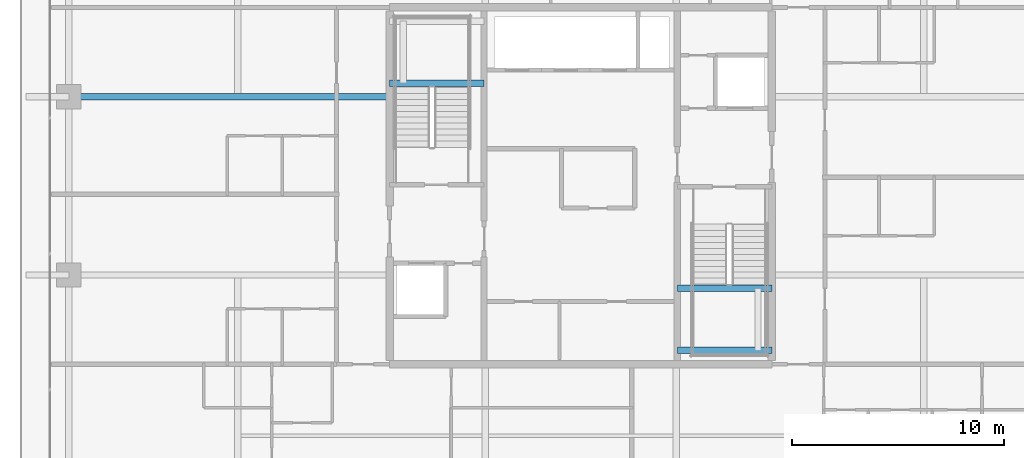
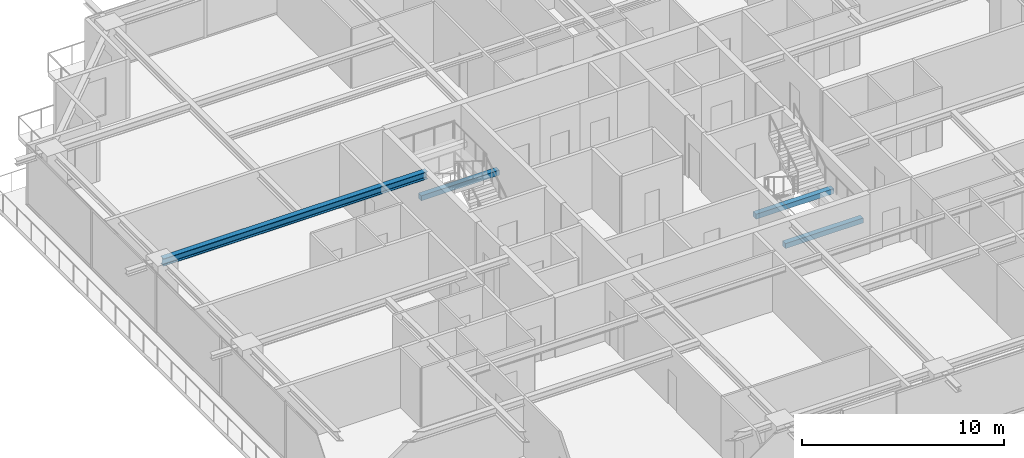
# One storey, part 10 of 37: 4 beams.
"""IFC4 building model written with IfcOpenShell, lengths in metres."""

from ifc_helpers import new_model, si_unit, direction, frame, origin, origin_2d, place, context, subcontext, project, spatial, rectangle, i_section, extrude, source, transform, mapped, material, material_profile, profile_set, type_object, element, save


model = new_model("IFC4")

# Units and contexts
model_context = context("Model", 3, precision=1e-05, world=origin(), true_north=direction((0.0, 1.0)))
body_context = subcontext(model_context, "Body", "Model", "MODEL_VIEW")
ifc_project = project(units=[si_unit("LENGTHUNIT", "METRE"), si_unit("AREAUNIT", "SQUARE_METRE"), si_unit("VOLUMEUNIT", "CUBIC_METRE"), si_unit("PLANEANGLEUNIT", "RADIAN"), si_unit("MASSUNIT", "GRAM", prefix="KILO")], contexts=[model_context])

# Site, building, storey
site_placement = place(None, origin())
site = spatial("IfcSite", under=ifc_project, at=site_placement, CompositionType="ELEMENT")
building_placement = place(site_placement, origin())
building = spatial("IfcBuilding", under=site, at=building_placement, Name="Serunith Strait Residences", CompositionType="ELEMENT")
storey_placement = place(building_placement, frame((0.0, 0.0, 260.5)))
storey = spatial("IfcBuildingStorey", under=building, at=storey_placement, Name="L65", CompositionType="ELEMENT", Elevation=260.5)

# Beams
ifc_material_1 = material(Name="Steel S355J2", Category="steel")
ifc_material_profile_1 = material_profile(ifc_material_1, i_section(OverallWidth=0.300048828125, OverallDepth=0.449951171875, WebThickness=0.013916015625, FlangeThickness=0.02587890625, FilletRadius=0.027099609375, at=origin_2d()), Name="HEB 450")
ifc_profile_set_1 = profile_set([ifc_material_profile_1], Name="Steel S355J2")
beam_type_1 = type_object("IfcBeamType", Name="BM-HEB450", PredefinedType="BEAM", material=ifc_profile_set_1)
shared_shape_1 = source(origin(), body_context, "Body", "SweptSolid", [
    extrude(i_section(OverallWidth=0.300048828125, OverallDepth=0.449951171875, WebThickness=0.013916015625, FlangeThickness=0.02587890625, FilletRadius=0.027099609375, at=origin_2d()), origin(), (0.0, 0.0, 1.0), 15.099853515625),
])
beam_1_placement = place(storey_placement, frame((23.39990234375, 29.39990234375, 3.362060546875), z_axis=(-1.0, 0.0, 0.0), x_axis=(0.0, -1.0, 0.0)))
element("IfcBeam", 1, at=beam_1_placement, inside=storey, type_object=beam_type_1, Name="L65 Primary Floor Girder TC-W3", PredefinedType="BEAM", context=body_context, shape_type="MappedRepresentation", body=[
    mapped(shared_shape_1, transform((0.0, 0.0, 0.0), scale=1.0)),
])
ifc_material_2 = material(Name="Concrete C60/75", Category="concrete")
ifc_material_profile_2 = material_profile(ifc_material_2, rectangle(XDim=0.300048828125, YDim=0.300048828125, at=origin_2d()), Name="RC 300x300")
ifc_profile_set_2 = profile_set([ifc_material_profile_2], Name="Concrete C60/75")
beam_type_2 = type_object("IfcBeamType", Name="BM-LAND-300x300", PredefinedType="BEAM", material=ifc_profile_set_2)
shared_shape_2 = source(origin(), body_context, "Body", "SweptSolid", [
    extrude(rectangle(XDim=0.300048828125, YDim=0.300048828125, at=origin_2d()), origin(), (0.0, 0.0, 1.0), 4.4501953125),
])
beam_2_placement = place(storey_placement, frame((23.39990234375, 30.030029296875, 1.574951171875), z_axis=(1.0, 0.0, 0.0), x_axis=(0.0, 1.0, 0.0)))
element("IfcBeam", 2, at=beam_2_placement, inside=storey, type_object=beam_type_2, Name="L65 ST-1 Landing Support Beam 1", PredefinedType="BEAM", context=body_context, shape_type="MappedRepresentation", body=[
    mapped(shared_shape_2, transform((0.0, 0.0, 0.0), scale=1.0)),
])
shared_shape_3 = source(origin(), body_context, "Body", "SweptSolid", [
    extrude(rectangle(XDim=0.300048828125, YDim=0.300048828125, at=origin_2d()), origin(), (0.0, 0.0, 1.0), 4.449951171875),
])
for number, where, z_axis, x_axis, name in (
    (3, (36.949951171875, 17.449951171875, 1.574951171875), (1.0, 0.0, 0.0), (0.0, 1.0, 0.0), "L65 ST-2 Landing Support Beam 1"),
    (4, (36.949951171875, 20.3701171875, 1.574951171875), (1.0, 0.0, 0.0), (0.0, 1.0, 0.0), "L65 ST-2 Landing Support Beam 2"),
):
    element("IfcBeam", number, at=place(storey_placement, frame(where, z_axis=z_axis, x_axis=x_axis)), inside=storey, type_object=beam_type_2, Name=name, PredefinedType="BEAM", context=body_context, shape_type="MappedRepresentation", body=[
        mapped(shared_shape_3, transform((0.0, 0.0, 0.0), scale=1.0)),
    ])

save(model, "model.ifc")
